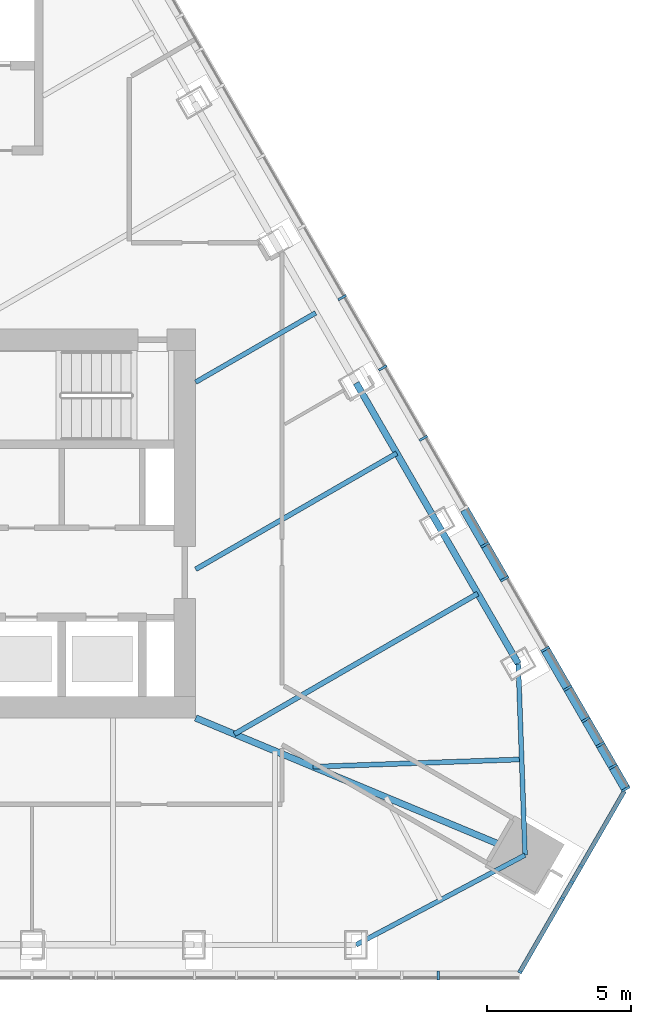
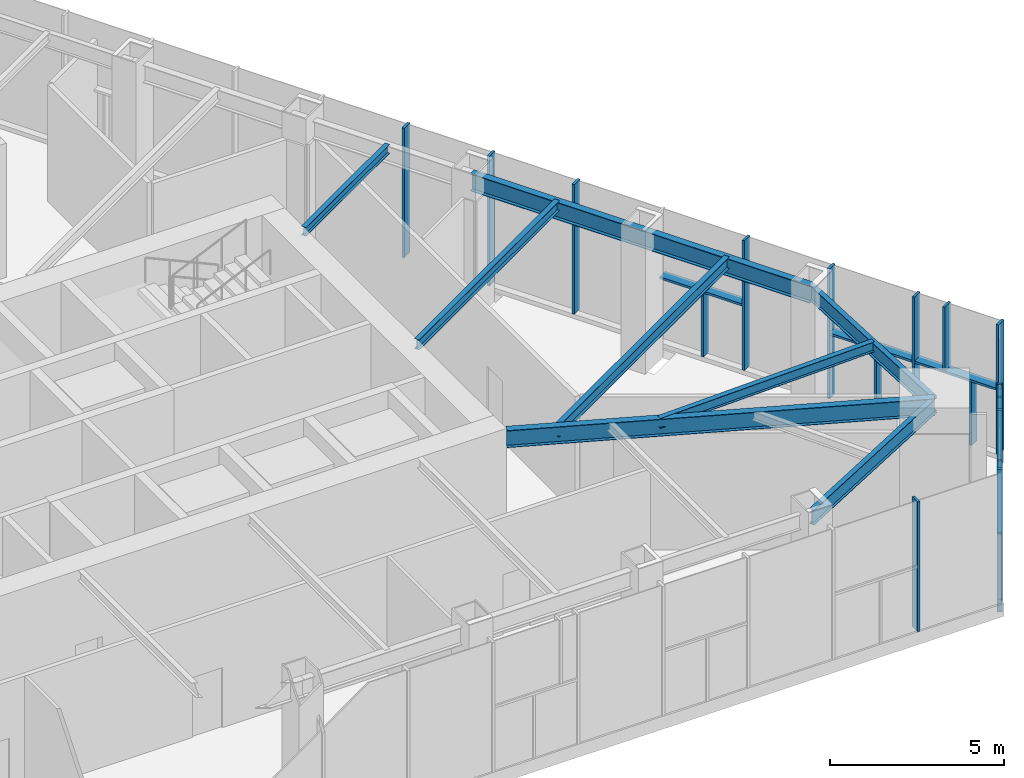
# One storey, part 5 of 17: 22 members, 8 beams, 3 elements without a shape of their own.
"""IFC4 building model written with IfcOpenShell, lengths in metres."""

from ifc_helpers import new_model, si_unit, direction, frame, origin, origin_2d, place, context, subcontext, project, spatial, rectangle, i_section, extrude, material, layer, layer_set, material_profile, profile_set, type_object, element, aggregate, save


model = new_model("IFC4")

# Units and contexts
model_context = context("Model", 3, precision=1e-05, world=origin(), true_north=direction((0.0, 1.0)))
body_context = subcontext(model_context, "Body", "Model", "MODEL_VIEW")
ifc_project = project(units=[si_unit("LENGTHUNIT", "METRE"), si_unit("AREAUNIT", "SQUARE_METRE"), si_unit("VOLUMEUNIT", "CUBIC_METRE"), si_unit("PLANEANGLEUNIT", "RADIAN"), si_unit("MASSUNIT", "GRAM", prefix="KILO")], contexts=[model_context])

# Site, building, storey
site_placement = place(None, origin())
site = spatial("IfcSite", under=ifc_project, at=site_placement, CompositionType="ELEMENT")
building_placement = place(site_placement, origin())
building = spatial("IfcBuilding", under=site, at=building_placement, Name="Firuza Gate Tower and Library", CompositionType="ELEMENT")
storey_placement = place(building_placement, frame((0.0, 0.0, 326.60009765625)))
storey = spatial("IfcBuildingStorey", under=building, at=storey_placement, Name="L80", CompositionType="ELEMENT", Elevation=326.60009765625)

# Curtain wall, members
ifc_material_1 = material(Name="Aluminium 6063-T6", Category="aluminium")
ifc_layer_1 = layer(ifc_material_1, 0.14990234375)
ifc_layer_set_1 = layer_set([ifc_layer_1], Name="Corner curtain wall, chamfers")
curtain_wall_type_1 = type_object("IfcCurtainWallType", Name="Corner curtain wall, chamfers", PredefinedType="NOTDEFINED", material=ifc_layer_set_1)
placement = place(storey_placement, origin())
curtain_wall_1 = element("IfcCurtainWall", 1, at=placement, inside=storey, type_object=curtain_wall_type_1, Name="CW4 L80 SE corner", PredefinedType="NOTDEFINED")
ifc_material_2 = material(Name="Aluminium 6063-T6", Category="aluminium")
ifc_material_profile_1 = material_profile(ifc_material_2, rectangle(XDim=0.14990234375, YDim=0.080078125, at=origin_2d()))
ifc_profile_set_1 = profile_set([ifc_material_profile_1], Name="Aluminium 6063-T6")
member_type_1 = type_object("IfcMemberType", Name="Curtain wall mullion 80x150", PredefinedType="MULLION", material=ifc_profile_set_1)
member_1_placement = place(storey_placement, frame((94.756591796875, 59.432861328125, 0.14990234375), z_axis=(0.0, 0.0, 1.0), x_axis=(-0.866025403784, 0.5, 0.0)))
member_1 = element("IfcMember", 2, at=member_1_placement, type_object=member_type_1, Name="Mullion", PredefinedType="MULLION", context=body_context, shape_type="SweptSolid", body=[
    extrude(rectangle(XDim=0.14990234375, YDim=0.080078125, at=origin_2d()), origin(), (0.0, 0.0, 1.0), 4.550048828125),
])
member_2_placement = place(storey_placement, frame((96.558349609375, 62.55322265625, 0.14990234375), z_axis=(0.0, 0.0, 1.0), x_axis=(-0.866025403784, 0.5, 0.0)))
member_2 = element("IfcMember", 3, at=member_2_placement, type_object=member_type_1, Name="Mullion", PredefinedType="MULLION", context=body_context, shape_type="SweptSolid", body=[
    extrude(rectangle(XDim=0.14990234375, YDim=0.080078125, at=origin_2d()), origin(), (0.0, 0.0, 1.0), 4.550048828125),
])
member_3_placement = place(storey_placement, frame((96.2333984375, 61.990478515625, 2.46484375), z_axis=(0.0, 0.0, 1.0), x_axis=(-0.866025403784, 0.5, 0.0)))
member_3 = element("IfcMember", 4, at=member_3_placement, type_object=member_type_1, Name="Mullion", PredefinedType="MULLION", context=body_context, shape_type="SweptSolid", body=[
    extrude(rectangle(XDim=0.14990234375, YDim=0.080078125, at=origin_2d()), origin(), (0.0, 0.0, 1.0), 2.235107421875),
])
member_4_placement = place(storey_placement, frame((96.88330078125, 63.1162109375, 2.46484375), z_axis=(0.0, 0.0, 1.0), x_axis=(-0.866025403784, 0.5, 0.0)))
member_4 = element("IfcMember", 5, at=member_4_placement, type_object=member_type_1, Name="Mullion", PredefinedType="MULLION", context=body_context, shape_type="SweptSolid", body=[
    extrude(rectangle(XDim=0.14990234375, YDim=0.080078125, at=origin_2d()), origin(), (0.0, 0.0, 1.0), 2.235107421875),
])

# Curtain wall, member
ifc_material_3 = material(Name="Aluminium 6063-T6", Category="aluminium")
ifc_layer_2 = layer(ifc_material_3, 0.14990234375)
ifc_layer_set_2 = layer_set([ifc_layer_2], Name="Unitised curtain wall, residences")
curtain_wall_type_2 = type_object("IfcCurtainWallType", Name="Unitised curtain wall, residences", PredefinedType="NOTDEFINED", material=ifc_layer_set_2)
curtain_wall_2 = element("IfcCurtainWall", 6, at=placement, inside=storey, type_object=curtain_wall_type_2, Name="CW3 L80 S face", PredefinedType="NOTDEFINED")
ifc_material_4 = material(Name="Aluminium 6063-T6", Category="aluminium")
ifc_material_profile_2 = material_profile(ifc_material_4, rectangle(XDim=0.320068359375, YDim=0.080078125, at=origin_2d()))
ifc_profile_set_2 = profile_set([ifc_material_profile_2], Name="Aluminium 6063-T6")
member_type_2 = type_object("IfcMemberType", Name="Curtain wall mullion 80x320", PredefinedType="MULLION", material=ifc_profile_set_2)
member_5_placement = place(storey_placement, frame((91.917236328125, 59.313232421875, 0.14990234375), z_axis=(0.0, 0.0, 1.0), x_axis=(0.0, 1.0, 0.0)))
member_5 = element("IfcMember", 7, at=member_5_placement, type_object=member_type_2, Name="Mullion", PredefinedType="MULLION", context=body_context, shape_type="SweptSolid", body=[
    extrude(rectangle(XDim=0.320068359375, YDim=0.080078125, at=origin_2d()), origin(), (0.0, 0.0, 1.0), 4.550048828125),
])
aggregate(curtain_wall_2, [member_5])

# Curtain wall, members
curtain_wall_3 = element("IfcCurtainWall", 8, at=placement, inside=storey, type_object=curtain_wall_type_2, Name="CW3 L80 E face", PredefinedType="NOTDEFINED")
member_6_placement = place(storey_placement, frame((98.43359375, 65.78564453125, 0.14990234375), z_axis=(0.0, 0.0, 1.0), x_axis=(-0.866025403784, -0.5, 0.0)))
member_6 = element("IfcMember", 9, at=member_6_placement, type_object=member_type_2, Name="Mullion", PredefinedType="MULLION", context=body_context, shape_type="SweptSolid", body=[
    extrude(rectangle(XDim=0.320068359375, YDim=0.080078125, at=origin_2d()), origin(), (0.0, 0.0, 1.0), 4.550048828125),
])
member_7_placement = place(storey_placement, frame((97.043701171875, 68.19287109375, 0.14990234375), z_axis=(0.0, 0.0, 1.0), x_axis=(-0.866025403784, -0.5, 0.0)))
member_7 = element("IfcMember", 10, at=member_7_placement, type_object=member_type_2, Name="Mullion", PredefinedType="MULLION", context=body_context, shape_type="SweptSolid", body=[
    extrude(rectangle(XDim=0.320068359375, YDim=0.080078125, at=origin_2d()), origin(), (0.0, 0.0, 1.0), 4.550048828125),
])
member_8_placement = place(storey_placement, frame((95.634033203125, 70.634521484375, 0.14990234375), z_axis=(0.0, 0.0, 1.0), x_axis=(-0.866025403784, -0.5, 0.0)))
member_8 = element("IfcMember", 11, at=member_8_placement, type_object=member_type_2, Name="Mullion", PredefinedType="MULLION", context=body_context, shape_type="SweptSolid", body=[
    extrude(rectangle(XDim=0.320068359375, YDim=0.080078125, at=origin_2d()), origin(), (0.0, 0.0, 1.0), 4.550048828125),
])
member_9_placement = place(storey_placement, frame((94.224365234375, 73.076416015625, 0.14990234375), z_axis=(0.0, 0.0, 1.0), x_axis=(-0.866025403784, -0.5, 0.0)))
member_9 = element("IfcMember", 12, at=member_9_placement, type_object=member_type_2, Name="Mullion", PredefinedType="MULLION", context=body_context, shape_type="SweptSolid", body=[
    extrude(rectangle(XDim=0.320068359375, YDim=0.080078125, at=origin_2d()), origin(), (0.0, 0.0, 1.0), 4.550048828125),
])
member_10_placement = place(storey_placement, frame((91.40478515625, 77.9599609375, 0.14990234375), z_axis=(0.0, 0.0, 1.0), x_axis=(-0.866025403784, -0.5, 0.0)))
member_10 = element("IfcMember", 13, at=member_10_placement, type_object=member_type_2, Name="Mullion", PredefinedType="MULLION", context=body_context, shape_type="SweptSolid", body=[
    extrude(rectangle(XDim=0.320068359375, YDim=0.080078125, at=origin_2d()), origin(), (0.0, 0.0, 1.0), 4.550048828125),
])
member_11_placement = place(storey_placement, frame((89.994873046875, 80.401611328125, 0.14990234375), z_axis=(0.0, 0.0, 1.0), x_axis=(-0.866025403784, -0.5, 0.0)))
member_11 = element("IfcMember", 14, at=member_11_placement, type_object=member_type_2, Name="Mullion", PredefinedType="MULLION", context=body_context, shape_type="SweptSolid", body=[
    extrude(rectangle(XDim=0.320068359375, YDim=0.080078125, at=origin_2d()), origin(), (0.0, 0.0, 1.0), 4.550048828125),
])
member_12_placement = place(storey_placement, frame((88.585205078125, 82.843505859375, 0.14990234375), z_axis=(0.0, 0.0, 1.0), x_axis=(-0.866025403784, -0.5, 0.0)))
member_12 = element("IfcMember", 15, at=member_12_placement, type_object=member_type_2, Name="Mullion", PredefinedType="MULLION", context=body_context, shape_type="SweptSolid", body=[
    extrude(rectangle(XDim=0.320068359375, YDim=0.080078125, at=origin_2d()), origin(), (0.0, 0.0, 1.0), 4.550048828125),
])
member_13_placement = place(storey_placement, frame((97.9873046875, 66.558349609375, 0.14990234375), z_axis=(0.0, 0.0, 1.0), x_axis=(-0.866025403784, -0.5, 0.0)))
member_13 = element("IfcMember", 16, at=member_13_placement, type_object=member_type_2, Name="Mullion", PredefinedType="MULLION", context=body_context, shape_type="SweptSolid", body=[
    extrude(rectangle(XDim=0.320068359375, YDim=0.080078125, at=origin_2d()), origin(), (0.0, 0.0, 1.0), 2.235107421875),
])
member_14_placement = place(storey_placement, frame((97.546875, 67.3212890625, 2.46484375), z_axis=(0.0, 0.0, 1.0), x_axis=(-0.866025403784, -0.5, 0.0)))
member_14 = element("IfcMember", 17, at=member_14_placement, type_object=member_type_2, Name="Mullion", PredefinedType="MULLION", context=body_context, shape_type="SweptSolid", body=[
    extrude(rectangle(XDim=0.320068359375, YDim=0.080078125, at=origin_2d()), origin(), (0.0, 0.0, 1.0), 2.235107421875),
])
member_15_placement = place(storey_placement, frame((96.4150390625, 69.28173828125, 0.14990234375), z_axis=(0.0, 0.0, 1.0), x_axis=(-0.866025403784, -0.5, 0.0)))
member_15 = element("IfcMember", 18, at=member_15_placement, type_object=member_type_2, Name="Mullion", PredefinedType="MULLION", context=body_context, shape_type="SweptSolid", body=[
    extrude(rectangle(XDim=0.320068359375, YDim=0.080078125, at=origin_2d()), origin(), (0.0, 0.0, 1.0), 2.235107421875),
])
member_16_placement = place(storey_placement, frame((93.54296875, 74.256103515625, 0.14990234375), z_axis=(0.0, 0.0, 1.0), x_axis=(-0.866025403784, -0.5, 0.0)))
member_16 = element("IfcMember", 19, at=member_16_placement, type_object=member_type_2, Name="Mullion", PredefinedType="MULLION", context=body_context, shape_type="SweptSolid", body=[
    extrude(rectangle(XDim=0.320068359375, YDim=0.080078125, at=origin_2d()), origin(), (0.0, 0.0, 1.0), 2.235107421875),
])

# Member
ifc_material_5 = material(Name="Aluminium 6063-T6", Category="aluminium")
ifc_material_profile_3 = material_profile(ifc_material_5, rectangle(XDim=0.14990234375, YDim=0.449951171875, at=origin_2d()))
ifc_profile_set_3 = profile_set([ifc_material_profile_3], Name="Aluminium 6063-T6")
member_type_3 = type_object("IfcMemberType", Name="Curtain wall transom 450x150", PredefinedType="USERDEFINED", material=ifc_profile_set_3)
member_17_placement = place(storey_placement, frame((94.736572265625, 59.398193359375, -0.0751953125), z_axis=(0.500005719219, 0.866022101766, 0.0), x_axis=(-0.866022101766, 0.500005719219, 0.0)))
member_17 = element("IfcMember", 20, at=member_17_placement, type_object=member_type_3, Name="Transom", ObjectType="TRANSOM", PredefinedType="USERDEFINED", context=body_context, shape_type="SweptSolid", body=[
    extrude(rectangle(XDim=0.14990234375, YDim=0.449951171875, at=origin_2d()), origin(), (0.0, 0.0, 1.0), 7.28662109375),
])

ifc_material_6 = material(Name="Aluminium 6063-T6", Category="aluminium")
ifc_material_profile_4 = material_profile(ifc_material_6, rectangle(XDim=0.14990234375, YDim=0.080078125, at=origin_2d()))
ifc_profile_set_4 = profile_set([ifc_material_profile_4], Name="Aluminium 6063-T6")
member_type_4 = type_object("IfcMemberType", Name="Curtain wall transom 80x150", PredefinedType="USERDEFINED", material=ifc_profile_set_4)
member_18_placement = place(storey_placement, frame((94.756591796875, 59.432861328125, 2.4248046875), z_axis=(0.500015035186, 0.866016723041, 0.0), x_axis=(-0.866016723041, 0.500015035186, 0.0)))
member_18 = element("IfcMember", 21, at=member_18_placement, type_object=member_type_4, Name="Transom", ObjectType="TRANSOM", PredefinedType="USERDEFINED", context=body_context, shape_type="SweptSolid", body=[
    extrude(rectangle(XDim=0.14990234375, YDim=0.080078125, at=origin_2d()), origin(), (0.0, 0.0, 1.0), 3.5634765625),
])

member_19_placement = place(storey_placement, frame((96.578369140625, 62.587890625, 2.4248046875), z_axis=(0.49996364809, 0.866046390552, 0.0), x_axis=(-0.866046390552, 0.49996364809, 0.0)))
member_19 = element("IfcMember", 22, at=member_19_placement, type_object=member_type_4, Name="Transom", ObjectType="TRANSOM", PredefinedType="USERDEFINED", context=body_context, shape_type="SweptSolid", body=[
    extrude(rectangle(XDim=0.14990234375, YDim=0.080078125, at=origin_2d()), origin(), (0.0, 0.0, 1.0), 3.563232421875),
])

aggregate(curtain_wall_1, [member_1, member_2, member_17, member_3, member_18, member_4, member_19])

ifc_material_7 = material(Name="Aluminium 6063-T6", Category="aluminium")
ifc_material_profile_5 = material_profile(ifc_material_7, rectangle(XDim=0.320068359375, YDim=0.080078125, at=origin_2d()))
ifc_profile_set_5 = profile_set([ifc_material_profile_5], Name="Aluminium 6063-T6")
member_type_5 = type_object("IfcMemberType", Name="Curtain wall transom 80x320", PredefinedType="USERDEFINED", material=ifc_profile_set_5)
member_20_placement = place(storey_placement, frame((98.43359375, 65.78564453125, 2.4248046875), z_axis=(-0.500020724563, 0.866013438122, 0.0), x_axis=(-0.866013438122, -0.500020724563, 0.0)))
member_20 = element("IfcMember", 23, at=member_20_placement, type_object=member_type_5, Name="Transom", ObjectType="TRANSOM", PredefinedType="USERDEFINED", context=body_context, shape_type="SweptSolid", body=[
    extrude(rectangle(XDim=0.320068359375, YDim=0.080078125, at=origin_2d()), origin(), (0.0, 0.0, 1.0), 2.73974609375),
])

member_21_placement = place(storey_placement, frame((97.023681640625, 68.2275390625, 2.4248046875), z_axis=(-0.499992475648, 0.866029747927, 0.0), x_axis=(-0.866029747927, -0.499992475648, 0.0)))
member_21 = element("IfcMember", 24, at=member_21_placement, type_object=member_type_5, Name="Transom", ObjectType="TRANSOM", PredefinedType="USERDEFINED", context=body_context, shape_type="SweptSolid", body=[
    extrude(rectangle(XDim=0.320068359375, YDim=0.080078125, at=origin_2d()), origin(), (0.0, 0.0, 1.0), 2.7392578125),
])

member_22_placement = place(storey_placement, frame((94.204345703125, 73.111083984375, 2.4248046875), z_axis=(-0.500059315765, 0.865991155103, 0.0), x_axis=(-0.865991155103, -0.500059315765, 0.0)))
member_22 = element("IfcMember", 25, at=member_22_placement, type_object=member_type_5, Name="Transom", ObjectType="TRANSOM", PredefinedType="USERDEFINED", context=body_context, shape_type="SweptSolid", body=[
    extrude(rectangle(XDim=0.320068359375, YDim=0.080078125, at=origin_2d()), origin(), (0.0, 0.0, 1.0), 2.739501953125),
])

aggregate(curtain_wall_3, [member_6, member_7, member_8, member_9, member_10, member_11, member_12, member_13, member_14, member_20, member_15, member_21, member_16, member_22])

# Beams
ifc_material_8 = material(Name="Steel S355", Category="steel")
ifc_material_profile_6 = material_profile(ifc_material_8, i_section(OverallWidth=0.1650390625, OverallDepth=0.31005859375, WebThickness=0.005859375, FlangeThickness=0.009765625, at=origin_2d()))
ifc_profile_set_6 = profile_set([ifc_material_profile_6], Name="Steel S355")
beam_type_1 = type_object("IfcBeamType", Name="W310x39 Floor beam", PredefinedType="JOIST", material=ifc_profile_set_6)
beam_1_placement = place(storey_placement, frame((87.667236328125, 82.3134765625, 4.544921875), z_axis=(-0.866020828478, -0.50000792458, 0.0), x_axis=(0.50000792458, -0.866020828478, 0.0)))
element("IfcBeam", 26, at=beam_1_placement, inside=storey, type_object=beam_type_1, Name="Floor beam L80 s52", PredefinedType="JOIST", context=body_context, shape_type="SweptSolid", body=[
    extrude(i_section(OverallWidth=0.1650390625, OverallDepth=0.31005859375, WebThickness=0.005859375, FlangeThickness=0.009765625, at=origin_2d()), origin(), (0.0, 0.0, 1.0), 4.81201171875),
])
ifc_material_9 = material(Name="Steel S355", Category="steel")
ifc_material_profile_7 = material_profile(ifc_material_9, i_section(OverallWidth=0.1708984375, OverallDepth=0.35498046875, WebThickness=0.007080078125, FlangeThickness=0.01171875, at=origin_2d()))
ifc_profile_set_7 = profile_set([ifc_material_profile_7], Name="Steel S355")
beam_type_2 = type_object("IfcBeamType", Name="W360x51 Floor beam", PredefinedType="JOIST", material=ifc_profile_set_7)
beam_2_placement = place(storey_placement, frame((94.817626953125, 66.81103515625, 4.5224609375), z_axis=(-0.999380909283, -0.035182355821, 0.0), x_axis=(0.035182355821, -0.999380909283, 0.0)))
element("IfcBeam", 27, at=beam_2_placement, inside=storey, type_object=beam_type_2, Name="Floor beam L80 s40", PredefinedType="JOIST", context=body_context, shape_type="SweptSolid", body=[
    extrude(i_section(OverallWidth=0.1708984375, OverallDepth=0.35498046875, WebThickness=0.007080078125, FlangeThickness=0.01171875, at=origin_2d()), origin(), (0.0, 0.0, 1.0), 7.25146484375),
])
beam_3_placement = place(storey_placement, frame((90.48046875, 77.440673828125, 4.5224609375), z_axis=(-0.866020143075, -0.500009111705, 0.0), x_axis=(0.500009111705, -0.866020143075, 0.0)))
element("IfcBeam", 28, at=beam_3_placement, inside=storey, type_object=beam_type_2, Name="Floor beam L80 s51", PredefinedType="JOIST", context=body_context, shape_type="SweptSolid", body=[
    extrude(i_section(OverallWidth=0.1708984375, OverallDepth=0.35498046875, WebThickness=0.007080078125, FlangeThickness=0.01171875, at=origin_2d()), origin(), (0.0, 0.0, 1.0), 8.060302734375),
])
ifc_material_10 = material(Name="Steel S355", Category="steel")
ifc_material_profile_8 = material_profile(ifc_material_10, i_section(OverallWidth=0.177978515625, OverallDepth=0.406982421875, WebThickness=0.0078125, FlangeThickness=0.0126953125, at=origin_2d()))
ifc_profile_set_8 = profile_set([ifc_material_profile_8], Name="Steel S355")
beam_type_3 = type_object("IfcBeamType", Name="W410x60 Floor beam", PredefinedType="JOIST", material=ifc_profile_set_8)
beam_4_placement = place(storey_placement, frame((93.2939453125, 72.56787109375, 4.496337890625), z_axis=(-0.866016800201, -0.500014901547, 0.0), x_axis=(0.500014901547, -0.866016800201, 0.0)))
element("IfcBeam", 29, at=beam_4_placement, inside=storey, type_object=beam_type_3, Name="Floor beam L80 s50", PredefinedType="JOIST", context=body_context, shape_type="SweptSolid", body=[
    extrude(i_section(OverallWidth=0.177978515625, OverallDepth=0.406982421875, WebThickness=0.0078125, FlangeThickness=0.0126953125, at=origin_2d()), origin(), (0.0, 0.0, 1.0), 9.755615234375),
])
ifc_material_11 = material(Name="Steel S355", Category="steel")
ifc_material_profile_9 = material_profile(ifc_material_11, i_section(OverallWidth=0.166015625, OverallDepth=0.534912109375, WebThickness=0.01025390625, FlangeThickness=0.0166015625, at=origin_2d()))
ifc_profile_set_9 = profile_set([ifc_material_profile_9], Name="Steel S355")
beam_type_4 = type_object("IfcBeamType", Name="W530x85 Edge beam", PredefinedType="SPANDREL", material=ifc_profile_set_9)
for number, where, z_axis, x_axis, name in (
    (30, (89.066650390625, 60.373046875, 4.432373046875), (0.883094311348, 0.469195521361, 0.0), (-0.469195521361, 0.883094311348, 0.0), "Edge beam L80 e30"),
    (31, (94.9345703125, 63.49072265625, 4.432373046875), (-0.035198763148, 0.999380331542, 0.0), (-0.999380331542, -0.035198763148, 0.0), "Edge beam L80 e40"),
):
    element("IfcBeam", number, at=place(storey_placement, frame(where, z_axis=z_axis, x_axis=x_axis)), inside=storey, type_object=beam_type_4, Name=name, PredefinedType="SPANDREL", context=body_context, shape_type="SweptSolid", body=[
        extrude(i_section(OverallWidth=0.166015625, OverallDepth=0.534912109375, WebThickness=0.01025390625, FlangeThickness=0.0166015625, at=origin_2d()), origin(), (0.0, 0.0, 1.0), 6.644775390625),
    ])
ifc_material_12 = material(Name="Steel S355", Category="steel")
ifc_material_profile_10 = material_profile(ifc_material_12, i_section(OverallWidth=0.22802734375, OverallDepth=0.60302734375, WebThickness=0.010498046875, FlangeThickness=0.014892578125, at=origin_2d()))
ifc_profile_set_10 = profile_set([ifc_material_profile_10], Name="Steel S355")
beam_type_5 = type_object("IfcBeamType", Name="W610x101 Girder", PredefinedType="BEAM", material=ifc_profile_set_10)
beam_5_placement = place(storey_placement, frame((94.9345703125, 63.49072265625, 4.3984375), z_axis=(-0.923223819717, 0.384262642872, 0.0), x_axis=(-0.384262642872, -0.923223819717, 0.0)))
element("IfcBeam", 32, at=beam_5_placement, inside=storey, type_object=beam_type_5, Name="Girder L80 gSE", PredefinedType="BEAM", context=body_context, shape_type="SweptSolid", body=[
    extrude(i_section(OverallWidth=0.22802734375, OverallDepth=0.60302734375, WebThickness=0.010498046875, FlangeThickness=0.014892578125, at=origin_2d()), origin(), (0.0, 0.0, 1.0), 12.385498046875),
])
ifc_material_13 = material(Name="Steel S355", Category="steel")
ifc_material_profile_11 = material_profile(ifc_material_13, i_section(OverallWidth=0.22900390625, OverallDepth=0.612060546875, WebThickness=0.011962890625, FlangeThickness=0.01953125, at=origin_2d()))
ifc_profile_set_11 = profile_set([ifc_material_profile_11], Name="Steel S355")
beam_type_6 = type_object("IfcBeamType", Name="W610x125 Edge beam", PredefinedType="SPANDREL", material=ifc_profile_set_11)
beam_6_placement = place(storey_placement, frame((94.70068359375, 70.13134765625, 4.393798828125), z_axis=(-0.500005401313, 0.866022285313, 0.0), x_axis=(-0.866022285313, -0.500005401313, 0.0)))
element("IfcBeam", 33, at=beam_6_placement, inside=storey, type_object=beam_type_6, Name="Edge beam L80 e50", PredefinedType="SPANDREL", context=body_context, shape_type="SweptSolid", body=[
    extrude(i_section(OverallWidth=0.22900390625, OverallDepth=0.612060546875, WebThickness=0.011962890625, FlangeThickness=0.01953125, at=origin_2d()), origin(), (0.0, 0.0, 1.0), 11.25341796875),
])

save(model, "model.ifc")
